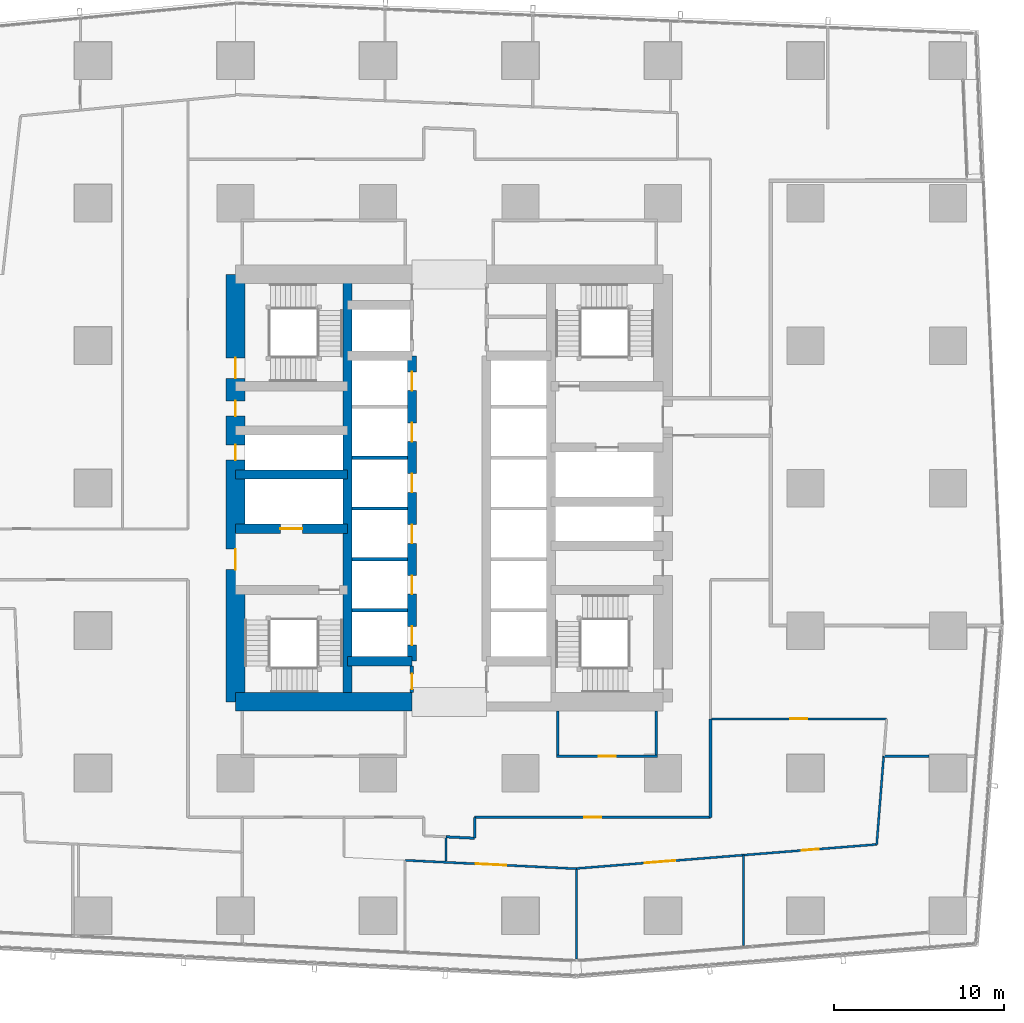
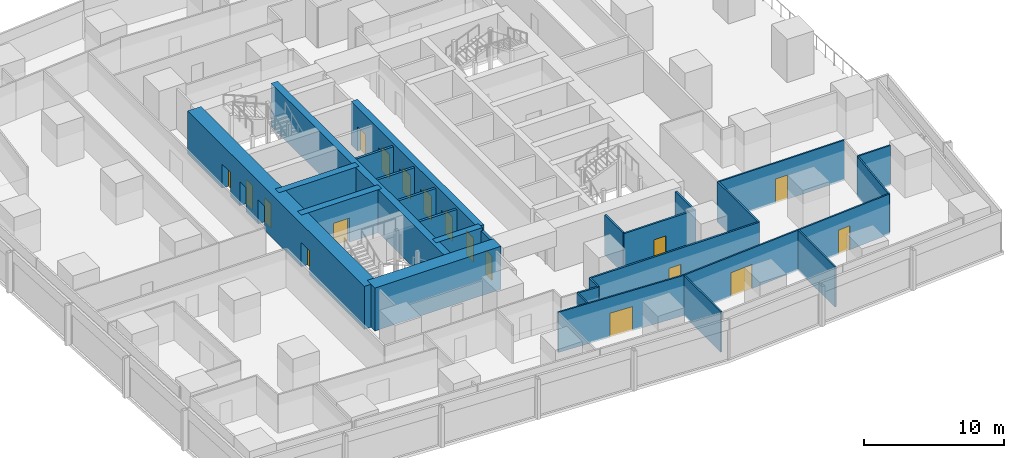
# One storey, part 30 of 42: 28 walls, 18 doors, 18 openings.
"""IFC4 building model written with IfcOpenShell, lengths in metres."""

from ifc_helpers import new_model, si_unit, direction, frame, frame_2d, origin, place, context, subcontext, project, spatial, rectangle, extrude, material, layer, layer_set, type_object, element, fill, save


model = new_model("IFC4")

# Units and contexts
model_context = context("Model", 3, precision=1e-05, world=origin(), true_north=direction((0.0, 1.0)))
body_context = subcontext(model_context, "Body", "Model", "MODEL_VIEW")
ifc_project = project(units=[si_unit("LENGTHUNIT", "METRE"), si_unit("AREAUNIT", "SQUARE_METRE"), si_unit("VOLUMEUNIT", "CUBIC_METRE"), si_unit("PLANEANGLEUNIT", "RADIAN"), si_unit("MASSUNIT", "GRAM", prefix="KILO")], contexts=[model_context])

# Site, building, storey
site_placement = place(None, origin())
site = spatial("IfcSite", under=ifc_project, at=site_placement, CompositionType="ELEMENT")
building_placement = place(site_placement, origin())
building = spatial("IfcBuilding", under=site, at=building_placement, Name="Rekha Terrace Tower", CompositionType="ELEMENT")
storey_placement = place(building_placement, frame((0.0, 0.0, 70.39990234375)))
storey = spatial("IfcBuildingStorey", under=building, at=storey_placement, Name="L17", CompositionType="ELEMENT", Elevation=70.39990234375)

# Wall
ifc_material_1 = material(Name="Concrete M70", Category="concrete")
ifc_layer_1 = layer(ifc_material_1, 0.550048828125)
ifc_layer_set_1 = layer_set([ifc_layer_1], Name="Concrete M70")
wall_type_1 = type_object("IfcWallType", Name="CI1 550 core internal shear wall", PredefinedType="SHEAR", material=ifc_layer_set_1)
wall_1_placement = place(storey_placement, frame((31.800048828125, 21.0, 0.0), z_axis=(0.0, 0.0, 1.0), x_axis=(0.0, 1.0, 0.0)))
element("IfcWall", 1, at=wall_1_placement, inside=storey, type_object=wall_type_1, Name="Core wall X318 L17", PredefinedType="SHEAR", context=body_context, shape_type="SweptSolid", body=[
    extrude(rectangle(XDim=25.199951171875, YDim=0.550048828125, at=frame_2d((12.60009765625, 0.0))), origin(), (0.0, 0.0, 1.0), 3.75),
])

# Wall, openings, doors
wall_2_placement = place(storey_placement, frame((35.60009765625, 23.39990234375, 0.0), z_axis=(0.0, 0.0, 1.0), x_axis=(0.0, 1.0, 0.0)))
wall_2 = element("IfcWall", 2, at=wall_2_placement, inside=storey, type_object=wall_type_1, Name="Core wall X356 L17", PredefinedType="SHEAR", context=body_context, shape_type="SweptSolid", body=[
    extrude(rectangle(XDim=18.0, YDim=0.550048828125, at=frame_2d((9.0, 0.0))), origin(), (0.0, 0.0, 1.0), 3.75),
])
opening_1_placement = place(wall_2_placement, frame((0.949951171875, 0.0, 0.0)))
opening_1 = element("IfcOpeningElement", 3, at=opening_1_placement, cuts=wall_2, Name="Opening LD1", PredefinedType="OPENING", context=body_context, shape_type="SweptSolid", body=[
    extrude(rectangle(XDim=1.10009765625, YDim=2.10009765625, at=frame_2d((0.550048828125, 1.050048828125))), frame((0.0, 0.284912109375, 0.0), z_axis=(0.0, -1.0, 0.0), x_axis=(1.0, 0.0, 0.0)), (0.0, 0.0, 1.0), 0.570068359375),
])
opening_2_placement = place(wall_2_placement, frame((3.949951171875, 0.0, 0.0)))
opening_2 = element("IfcOpeningElement", 4, at=opening_2_placement, cuts=wall_2, Name="Opening LD1", PredefinedType="OPENING", context=body_context, shape_type="SweptSolid", body=[
    extrude(rectangle(XDim=1.10009765625, YDim=2.10009765625, at=frame_2d((0.550048828125, 1.050048828125))), frame((0.0, 0.284912109375, 0.0), z_axis=(0.0, -1.0, 0.0), x_axis=(1.0, 0.0, 0.0)), (0.0, 0.0, 1.0), 0.570068359375),
])
opening_3_placement = place(wall_2_placement, frame((6.949951171875, 0.0, 0.0)))
opening_3 = element("IfcOpeningElement", 5, at=opening_3_placement, cuts=wall_2, Name="Opening LD1", PredefinedType="OPENING", context=body_context, shape_type="SweptSolid", body=[
    extrude(rectangle(XDim=1.10009765625, YDim=2.10009765625, at=frame_2d((0.550048828125, 1.050048828125))), frame((0.0, 0.284912109375, 0.0), z_axis=(0.0, -1.0, 0.0), x_axis=(1.0, 0.0, 0.0)), (0.0, 0.0, 1.0), 0.570068359375),
])
opening_4_placement = place(wall_2_placement, frame((9.949951171875, 0.0, 0.0)))
opening_4 = element("IfcOpeningElement", 6, at=opening_4_placement, cuts=wall_2, Name="Opening LD1", PredefinedType="OPENING", context=body_context, shape_type="SweptSolid", body=[
    extrude(rectangle(XDim=1.10009765625, YDim=2.10009765625, at=frame_2d((0.550048828125, 1.050048828125))), frame((0.0, 0.284912109375, 0.0), z_axis=(0.0, -1.0, 0.0), x_axis=(1.0, 0.0, 0.0)), (0.0, 0.0, 1.0), 0.570068359375),
])
opening_5_placement = place(wall_2_placement, frame((12.949951171875, 0.0, 0.0)))
opening_5 = element("IfcOpeningElement", 7, at=opening_5_placement, cuts=wall_2, Name="Opening LD1", PredefinedType="OPENING", context=body_context, shape_type="SweptSolid", body=[
    extrude(rectangle(XDim=1.10009765625, YDim=2.10009765625, at=frame_2d((0.550048828125, 1.050048828125))), frame((0.0, 0.284912109375, 0.0), z_axis=(0.0, -1.0, 0.0), x_axis=(1.0, 0.0, 0.0)), (0.0, 0.0, 1.0), 0.570068359375),
])
opening_6_placement = place(wall_2_placement, frame((15.949951171875, 0.0, 0.0)))
opening_6 = element("IfcOpeningElement", 8, at=opening_6_placement, cuts=wall_2, Name="Opening LD1", PredefinedType="OPENING", context=body_context, shape_type="SweptSolid", body=[
    extrude(rectangle(XDim=1.10009765625, YDim=2.10009765625, at=frame_2d((0.550048828125, 1.050048828125))), frame((0.0, 0.284912109375, 0.0), z_axis=(0.0, -1.0, 0.0), x_axis=(1.0, 0.0, 0.0)), (0.0, 0.0, 1.0), 0.570068359375),
])
ifc_material_2 = material(Name="Stainless steel sliding landing door", Category="steel")
door_type_1 = type_object("IfcDoorType", Name="LD1 1100x2100 lift landing door", OperationType="SLIDING_TO_LEFT", PredefinedType="USERDEFINED", material=ifc_material_2)
door_1_placement = place(opening_1_placement, origin())
door_1 = element("IfcDoor", 9, at=door_1_placement, inside=storey, type_object=door_type_1, Name="Lift A1 landing door L17", ObjectType="LIFT LANDING DOOR", OperationType="SLIDING_TO_LEFT", OverallHeight=2.10009765625, OverallWidth=1.10009765625, PredefinedType="USERDEFINED", context=body_context, shape_type="SweptSolid", body=[
    extrude(rectangle(XDim=1.10009765625, YDim=2.10009765625, at=frame_2d((0.550048828125, 1.050048828125))), frame((0.0, 0.02490234375, 0.0), z_axis=(0.0, -1.0, 0.0), x_axis=(1.0, 0.0, 0.0)), (0.0, 0.0, 1.0), 0.050048828125),
])
fill(opening_1, door_1)
door_2_placement = place(opening_2_placement, origin())
door_2 = element("IfcDoor", 10, at=door_2_placement, inside=storey, type_object=door_type_1, Name="Lift A2 landing door L17", ObjectType="LIFT LANDING DOOR", OperationType="SLIDING_TO_LEFT", OverallHeight=2.10009765625, OverallWidth=1.10009765625, PredefinedType="USERDEFINED", context=body_context, shape_type="SweptSolid", body=[
    extrude(rectangle(XDim=1.10009765625, YDim=2.10009765625, at=frame_2d((0.550048828125, 1.050048828125))), frame((0.0, 0.02490234375, 0.0), z_axis=(0.0, -1.0, 0.0), x_axis=(1.0, 0.0, 0.0)), (0.0, 0.0, 1.0), 0.050048828125),
])
fill(opening_2, door_2)
door_3_placement = place(opening_3_placement, origin())
door_3 = element("IfcDoor", 11, at=door_3_placement, inside=storey, type_object=door_type_1, Name="Lift A3 landing door L17", ObjectType="LIFT LANDING DOOR", OperationType="SLIDING_TO_LEFT", OverallHeight=2.10009765625, OverallWidth=1.10009765625, PredefinedType="USERDEFINED", context=body_context, shape_type="SweptSolid", body=[
    extrude(rectangle(XDim=1.10009765625, YDim=2.10009765625, at=frame_2d((0.550048828125, 1.050048828125))), frame((0.0, 0.02490234375, 0.0), z_axis=(0.0, -1.0, 0.0), x_axis=(1.0, 0.0, 0.0)), (0.0, 0.0, 1.0), 0.050048828125),
])
fill(opening_3, door_3)
door_4_placement = place(opening_4_placement, origin())
door_4 = element("IfcDoor", 12, at=door_4_placement, inside=storey, type_object=door_type_1, Name="Lift A4 landing door L17", ObjectType="LIFT LANDING DOOR", OperationType="SLIDING_TO_LEFT", OverallHeight=2.10009765625, OverallWidth=1.10009765625, PredefinedType="USERDEFINED", context=body_context, shape_type="SweptSolid", body=[
    extrude(rectangle(XDim=1.10009765625, YDim=2.10009765625, at=frame_2d((0.550048828125, 1.050048828125))), frame((0.0, 0.02490234375, 0.0), z_axis=(0.0, -1.0, 0.0), x_axis=(1.0, 0.0, 0.0)), (0.0, 0.0, 1.0), 0.050048828125),
])
fill(opening_4, door_4)
door_5_placement = place(opening_5_placement, origin())
door_5 = element("IfcDoor", 13, at=door_5_placement, inside=storey, type_object=door_type_1, Name="Lift A5 landing door L17", ObjectType="LIFT LANDING DOOR", OperationType="SLIDING_TO_LEFT", OverallHeight=2.10009765625, OverallWidth=1.10009765625, PredefinedType="USERDEFINED", context=body_context, shape_type="SweptSolid", body=[
    extrude(rectangle(XDim=1.10009765625, YDim=2.10009765625, at=frame_2d((0.550048828125, 1.050048828125))), frame((0.0, 0.02490234375, 0.0), z_axis=(0.0, -1.0, 0.0), x_axis=(1.0, 0.0, 0.0)), (0.0, 0.0, 1.0), 0.050048828125),
])
fill(opening_5, door_5)
door_6_placement = place(opening_6_placement, origin())
door_6 = element("IfcDoor", 14, at=door_6_placement, inside=storey, type_object=door_type_1, Name="Lift A6 landing door L17", ObjectType="LIFT LANDING DOOR", OperationType="SLIDING_TO_LEFT", OverallHeight=2.10009765625, OverallWidth=1.10009765625, PredefinedType="USERDEFINED", context=body_context, shape_type="SweptSolid", body=[
    extrude(rectangle(XDim=1.10009765625, YDim=2.10009765625, at=frame_2d((0.550048828125, 1.050048828125))), frame((0.0, 0.02490234375, 0.0), z_axis=(0.0, -1.0, 0.0), x_axis=(1.0, 0.0, 0.0)), (0.0, 0.0, 1.0), 0.050048828125),
])
fill(opening_6, door_6)

# Wall
wall_3_placement = place(storey_placement, frame((31.800048828125, 23.39990234375, 0.0), z_axis=(0.0, 0.0, 1.0), x_axis=(1.0, 0.0, 0.0)))
element("IfcWall", 15, at=wall_3_placement, inside=storey, type_object=wall_type_1, Name="Core wall Y234W L17", PredefinedType="SHEAR", context=body_context, shape_type="SweptSolid", body=[
    extrude(rectangle(XDim=3.800048828125, YDim=0.550048828125, at=frame_2d((1.89990234375, 0.0))), origin(), (0.0, 0.0, 1.0), 3.75),
])

# Wall, opening, door
wall_4_placement = place(storey_placement, frame((25.199951171875, 31.199951171875, 0.0), z_axis=(0.0, 0.0, 1.0), x_axis=(1.0, 0.0, 0.0)))
wall_4 = element("IfcWall", 16, at=wall_4_placement, inside=storey, type_object=wall_type_1, Name="Core wall Y312W L17", PredefinedType="SHEAR", context=body_context, shape_type="SweptSolid", body=[
    extrude(rectangle(XDim=6.60009765625, YDim=0.550048828125, at=frame_2d((3.300048828125, 0.0))), origin(), (0.0, 0.0, 1.0), 3.75),
])
opening_7_placement = place(wall_4_placement, frame((2.64990234375, 0.0, 0.0)))
opening_7 = element("IfcOpeningElement", 17, at=opening_7_placement, cuts=wall_4, Name="Opening LD2", PredefinedType="OPENING", context=body_context, shape_type="SweptSolid", body=[
    extrude(rectangle(XDim=1.300048828125, YDim=2.10009765625, at=frame_2d((0.64990234375, 1.050048828125))), frame((0.0, 0.284912109375, 0.0), z_axis=(0.0, -1.0, 0.0), x_axis=(1.0, 0.0, 0.0)), (0.0, 0.0, 1.0), 0.570068359375),
])
door_type_2 = type_object("IfcDoorType", Name="LD2 1300x2100 fire lift landing door", OperationType="SLIDING_TO_LEFT", PredefinedType="USERDEFINED", material=ifc_material_2)
door_7_placement = place(opening_7_placement, origin())
door_7 = element("IfcDoor", 18, at=door_7_placement, inside=storey, type_object=door_type_2, Name="Lift FL1 landing door L17", ObjectType="LIFT LANDING DOOR", OperationType="SLIDING_TO_LEFT", OverallHeight=2.10009765625, OverallWidth=1.300048828125, PredefinedType="USERDEFINED", context=body_context, shape_type="SweptSolid", body=[
    extrude(rectangle(XDim=1.300048828125, YDim=2.10009765625, at=frame_2d((0.64990234375, 1.050048828125))), frame((0.0, 0.02490234375, 0.0), z_axis=(0.0, -1.0, 0.0), x_axis=(1.0, 0.0, 0.0)), (0.0, 0.0, 1.0), 0.050048828125),
])
fill(opening_7, door_7)

# Walls
wall_5_placement = place(storey_placement, frame((25.199951171875, 34.39990234375, 0.0), z_axis=(0.0, 0.0, 1.0), x_axis=(1.0, 0.0, 0.0)))
element("IfcWall", 19, at=wall_5_placement, inside=storey, type_object=wall_type_1, Name="Core wall Y344W L17", PredefinedType="SHEAR", context=body_context, shape_type="SweptSolid", body=[
    extrude(rectangle(XDim=6.60009765625, YDim=0.550048828125, at=frame_2d((3.300048828125, 0.0))), origin(), (0.0, 0.0, 1.0), 3.75),
])
ifc_layer_2 = layer(ifc_material_1, 1.10009765625)
ifc_layer_set_2 = layer_set([ifc_layer_2], Name="Concrete M70")
wall_type_2 = type_object("IfcWallType", Name="SW1 1100 core outer shear wall", PredefinedType="SHEAR", material=ifc_layer_set_2)
wall_6_placement = place(storey_placement, frame((25.199951171875, 21.0, 0.0), z_axis=(0.0, 0.0, 1.0), x_axis=(1.0, 0.0, 0.0)))
element("IfcWall", 20, at=wall_6_placement, inside=storey, type_object=wall_type_2, Name="Core wall S1 L17", PredefinedType="SHEAR", context=body_context, shape_type="SweptSolid", body=[
    extrude(rectangle(XDim=10.400146484375, YDim=1.10009765625, at=frame_2d((5.2001953125, 0.0))), origin(), (0.0, 0.0, 1.0), 3.75),
])

# Wall, openings, doors
wall_7_placement = place(storey_placement, frame((25.199951171875, 21.0, 0.0), z_axis=(0.0, 0.0, 1.0), x_axis=(0.0, 1.0, 0.0)))
wall_7 = element("IfcWall", 21, at=wall_7_placement, inside=storey, type_object=wall_type_2, Name="Core wall W L17", PredefinedType="SHEAR", context=body_context, shape_type="SweptSolid", body=[
    extrude(rectangle(XDim=25.199951171875, YDim=1.10009765625, at=frame_2d((12.60009765625, 0.0))), origin(), (0.0, 0.0, 1.0), 3.75),
])
opening_8_placement = place(wall_7_placement, frame((7.800048828125, 0.0, 0.0)))
opening_8 = element("IfcOpeningElement", 22, at=opening_8_placement, cuts=wall_7, Name="Opening D2", PredefinedType="OPENING", context=body_context, shape_type="SweptSolid", body=[
    extrude(rectangle(XDim=1.199951171875, YDim=2.10009765625, at=frame_2d((0.60009765625, 1.050048828125))), frame((0.0, 0.56005859375, 0.0), z_axis=(0.0, -1.0, 0.0), x_axis=(1.0, 0.0, 0.0)), (0.0, 0.0, 1.0), 1.1201171875),
])
opening_9_placement = place(wall_7_placement, frame((14.25, 0.0, 0.0)))
opening_9 = element("IfcOpeningElement", 23, at=opening_9_placement, cuts=wall_7, Name="Opening D5", PredefinedType="OPENING", context=body_context, shape_type="SweptSolid", body=[
    extrude(rectangle(XDim=0.89990234375, YDim=2.10009765625, at=frame_2d((0.449951171875, 1.050048828125))), frame((0.0, 0.56005859375, 0.0), z_axis=(0.0, -1.0, 0.0), x_axis=(1.0, 0.0, 0.0)), (0.0, 0.0, 1.0), 1.1201171875),
])
opening_10_placement = place(wall_7_placement, frame((16.85009765625, 0.0, 0.0)))
opening_10 = element("IfcOpeningElement", 24, at=opening_10_placement, cuts=wall_7, Name="Opening D5", PredefinedType="OPENING", context=body_context, shape_type="SweptSolid", body=[
    extrude(rectangle(XDim=0.89990234375, YDim=2.10009765625, at=frame_2d((0.449951171875, 1.050048828125))), frame((0.0, 0.56005859375, 0.0), z_axis=(0.0, -1.0, 0.0), x_axis=(1.0, 0.0, 0.0)), (0.0, 0.0, 1.0), 1.1201171875),
])
opening_11_placement = place(wall_7_placement, frame((19.074951171875, 0.0, 0.0)))
opening_11 = element("IfcOpeningElement", 25, at=opening_11_placement, cuts=wall_7, Name="Opening D1", PredefinedType="OPENING", context=body_context, shape_type="SweptSolid", body=[
    extrude(rectangle(XDim=1.199951171875, YDim=2.10009765625, at=frame_2d((0.60009765625, 1.050048828125))), frame((0.0, 0.56005859375, 0.0), z_axis=(0.0, -1.0, 0.0), x_axis=(1.0, 0.0, 0.0)), (0.0, 0.0, 1.0), 1.1201171875),
])
ifc_material_3 = material(Name="Steel fire door", Category="steel")
door_type_3 = type_object("IfcDoorType", Name="D1 1200x2100 stair fire door", OperationType="SINGLE_SWING_RIGHT", PredefinedType="DOOR", material=ifc_material_3)
door_8_placement = place(opening_11_placement, origin())
door_8 = element("IfcDoor", 26, at=door_8_placement, inside=storey, type_object=door_type_3, Name="Stair ST4 door L17", OperationType="SINGLE_SWING_RIGHT", OverallHeight=2.10009765625, OverallWidth=1.199951171875, PredefinedType="DOOR", context=body_context, shape_type="SweptSolid", body=[
    extrude(rectangle(XDim=1.199951171875, YDim=2.10009765625, at=frame_2d((0.60009765625, 1.050048828125))), frame((0.0, 0.02490234375, 0.0), z_axis=(0.0, -1.0, 0.0), x_axis=(1.0, 0.0, 0.0)), (0.0, 0.0, 1.0), 0.050048828125),
])
fill(opening_11, door_8)
door_type_4 = type_object("IfcDoorType", Name="D2 1200x2100 firefighting lobby door", OperationType="SINGLE_SWING_LEFT", PredefinedType="DOOR", material=ifc_material_3)
door_9_placement = place(opening_8_placement, origin())
door_9 = element("IfcDoor", 27, at=door_9_placement, inside=storey, type_object=door_type_4, Name="Door flb1 L17", OperationType="SINGLE_SWING_LEFT", OverallHeight=2.10009765625, OverallWidth=1.199951171875, PredefinedType="DOOR", context=body_context, shape_type="SweptSolid", body=[
    extrude(rectangle(XDim=1.199951171875, YDim=2.10009765625, at=frame_2d((0.60009765625, 1.050048828125))), frame((0.0, 0.02490234375, 0.0), z_axis=(0.0, -1.0, 0.0), x_axis=(1.0, 0.0, 0.0)), (0.0, 0.0, 1.0), 0.050048828125),
])
fill(opening_8, door_9)
door_type_5 = type_object("IfcDoorType", Name="D5 900x2100 riser access door", OperationType="SINGLE_SWING_LEFT", PredefinedType="DOOR", material=ifc_material_3)
door_10_placement = place(opening_9_placement, origin())
door_10 = element("IfcDoor", 28, at=door_10_placement, inside=storey, type_object=door_type_5, Name="Door rs1 L17", OperationType="SINGLE_SWING_LEFT", OverallHeight=2.10009765625, OverallWidth=0.89990234375, PredefinedType="DOOR", context=body_context, shape_type="SweptSolid", body=[
    extrude(rectangle(XDim=0.89990234375, YDim=2.10009765625, at=frame_2d((0.449951171875, 1.050048828125))), frame((0.0, 0.02490234375, 0.0), z_axis=(0.0, -1.0, 0.0), x_axis=(1.0, 0.0, 0.0)), (0.0, 0.0, 1.0), 0.050048828125),
])
fill(opening_9, door_10)
door_11_placement = place(opening_10_placement, origin())
door_11 = element("IfcDoor", 29, at=door_11_placement, inside=storey, type_object=door_type_5, Name="Door elw L17", OperationType="SINGLE_SWING_LEFT", OverallHeight=2.10009765625, OverallWidth=0.89990234375, PredefinedType="DOOR", context=body_context, shape_type="SweptSolid", body=[
    extrude(rectangle(XDim=0.89990234375, YDim=2.10009765625, at=frame_2d((0.449951171875, 1.050048828125))), frame((0.0, 0.02490234375, 0.0), z_axis=(0.0, -1.0, 0.0), x_axis=(1.0, 0.0, 0.0)), (0.0, 0.0, 1.0), 0.050048828125),
])
fill(opening_10, door_11)

# Wall, opening, door
ifc_material_4 = material(Name="Concrete block masonry, 1 hour", Category="masonry")
ifc_layer_3 = layer(ifc_material_4, 0.14990234375)
ifc_layer_set_3 = layer_set([ifc_layer_3], Name="Concrete block masonry, 1 hour")
wall_type_3 = type_object("IfcWallType", Name="WP2 150 tenancy partition", PredefinedType="PARTITIONING", material=ifc_layer_set_3)
wall_8_placement = place(storey_placement, frame((44.125, 17.800048828125, 0.0), z_axis=(0.0, 0.0, 1.0), x_axis=(1.0, 0.0, 0.0)))
wall_8 = element("IfcWall", 30, at=wall_8_placement, inside=storey, type_object=wall_type_3, Name="Men's WC wall L17", PredefinedType="PARTITIONING", context=body_context, shape_type="SweptSolid", body=[
    extrude(rectangle(XDim=5.949951171875, YDim=0.14990234375, at=frame_2d((2.97509765625, 0.0))), origin(), (0.0, 0.0, 1.0), 3.5),
])
opening_12_placement = place(wall_8_placement, frame((2.47509765625, 0.0, 0.0)))
opening_12 = element("IfcOpeningElement", 31, at=opening_12_placement, cuts=wall_8, Name="Opening D3", PredefinedType="OPENING", context=body_context, shape_type="SweptSolid", body=[
    extrude(rectangle(XDim=1.0, YDim=2.10009765625, at=frame_2d((0.5, 1.050048828125))), frame((0.0, 0.0849609375, 0.0), z_axis=(0.0, -1.0, 0.0), x_axis=(1.0, 0.0, 0.0)), (0.0, 0.0, 1.0), 0.169921875),
])
ifc_material_5 = material(Name="Laminated timber fire door", Category="wood")
door_type_6 = type_object("IfcDoorType", Name="D3 1000x2100 WC door", OperationType="SINGLE_SWING_LEFT", PredefinedType="DOOR", material=ifc_material_5)
door_12_placement = place(opening_12_placement, origin())
door_12 = element("IfcDoor", 32, at=door_12_placement, inside=storey, type_object=door_type_6, Name="Door men's wc L17", OperationType="SINGLE_SWING_LEFT", OverallHeight=2.10009765625, OverallWidth=1.0, PredefinedType="DOOR", context=body_context, shape_type="SweptSolid", body=[
    extrude(rectangle(XDim=1.0, YDim=2.10009765625, at=frame_2d((0.5, 1.050048828125))), frame((0.0, 0.02490234375, 0.0), z_axis=(0.0, -1.0, 0.0), x_axis=(1.0, 0.0, 0.0)), (0.0, 0.0, 1.0), 0.050048828125),
])
fill(opening_12, door_12)

# Walls
for number, where, z_axis, x_axis, name in (
    (33, (44.199951171875, 17.875, 0.0), (0.0, 0.0, 1.0), (0.0, 1.0, 0.0), "Men's WC wall L17"),
    (34, (50.0, 17.875, 0.0), (0.0, 0.0, 1.0), (0.0, 1.0, 0.0), "Men's WC wall L17"),
):
    element("IfcWall", number, at=place(storey_placement, frame(where, z_axis=z_axis, x_axis=x_axis)), inside=storey, type_object=wall_type_3, Name=name, PredefinedType="PARTITIONING", context=body_context, shape_type="SweptSolid", body=[
        extrude(rectangle(XDim=2.574951171875, YDim=0.14990234375, at=frame_2d((1.28759765625, 0.0))), origin(), (0.0, 0.0, 1.0), 3.5),
    ])
wall_9_placement = place(storey_placement, frame((37.60107421875, 13.047119140625, 0.0), z_axis=(0.0, 0.0, 1.0), x_axis=(0.998808600268, -0.048799385557, 0.0)))
element("IfcWall", 35, at=wall_9_placement, inside=storey, type_object=wall_type_3, Name="Partition L17-O1", PredefinedType="PARTITIONING", context=body_context, shape_type="SweptSolid", body=[
    extrude(rectangle(XDim=1.700927734375, YDim=0.14990234375, at=frame_2d((0.8505859375, 0.0))), origin(), (0.0, 0.0, 1.0), 3.5),
])
wall_10_placement = place(storey_placement, frame((39.300048828125, 12.964111328125, 0.0), z_axis=(0.0, 0.0, 1.0), x_axis=(0.0, 1.0, 0.0)))
element("IfcWall", 36, at=wall_10_placement, inside=storey, type_object=wall_type_3, Name="Partition L17-O1", PredefinedType="PARTITIONING", context=body_context, shape_type="SweptSolid", body=[
    extrude(rectangle(XDim=1.23583984375, YDim=0.14990234375, at=frame_2d((0.617919921875, 0.0))), origin(), (0.0, 0.0, 1.0), 3.5),
])

# Wall, opening, door
wall_11_placement = place(storey_placement, frame((39.300048828125, 14.199951171875, 0.0), z_axis=(0.0, 0.0, 1.0), x_axis=(1.0, 0.0, 0.0)))
wall_11 = element("IfcWall", 37, at=wall_11_placement, inside=storey, type_object=wall_type_3, Name="Partition L17-O1", PredefinedType="PARTITIONING", context=body_context, shape_type="SweptSolid", body=[
    extrude(rectangle(XDim=13.89990234375, YDim=0.14990234375, at=frame_2d((6.949951171875, 0.0))), origin(), (0.0, 0.0, 1.0), 3.5),
])
opening_13_placement = place(wall_11_placement, frame((6.449951171875, 0.0, 0.0)))
opening_13 = element("IfcOpeningElement", 38, at=opening_13_placement, cuts=wall_11, Name="Opening D9", PredefinedType="OPENING", context=body_context, shape_type="SweptSolid", body=[
    extrude(rectangle(XDim=1.0, YDim=2.10009765625, at=frame_2d((0.5, 1.050048828125))), frame((0.0, 0.0849609375, 0.0), z_axis=(0.0, -1.0, 0.0), x_axis=(1.0, 0.0, 0.0)), (0.0, 0.0, 1.0), 0.169921875),
])
ifc_material_6 = material(Name="Timber fire door", Category="wood")
door_type_7 = type_object("IfcDoorType", Name="D9 1000x2100 office door", OperationType="SINGLE_SWING_LEFT", PredefinedType="DOOR", material=ifc_material_6)
door_13_placement = place(opening_13_placement, origin())
door_13 = element("IfcDoor", 39, at=door_13_placement, inside=storey, type_object=door_type_7, Name="Door open-plan office L17", OperationType="SINGLE_SWING_LEFT", OverallHeight=2.10009765625, OverallWidth=1.0, PredefinedType="DOOR", context=body_context, shape_type="SweptSolid", body=[
    extrude(rectangle(XDim=1.0, YDim=2.10009765625, at=frame_2d((0.5, 1.050048828125))), frame((0.0, 0.02490234375, 0.0), z_axis=(0.0, -1.0, 0.0), x_axis=(1.0, 0.0, 0.0)), (0.0, 0.0, 1.0), 0.050048828125),
])
fill(opening_13, door_13)

# Wall
wall_12_placement = place(storey_placement, frame((53.199951171875, 14.199951171875, 0.0), z_axis=(0.0, 0.0, 1.0), x_axis=(0.0, 1.0, 0.0)))
element("IfcWall", 40, at=wall_12_placement, inside=storey, type_object=wall_type_3, Name="Partition L17-O1", PredefinedType="PARTITIONING", context=body_context, shape_type="SweptSolid", body=[
    extrude(rectangle(XDim=5.802001953125, YDim=0.14990234375, at=frame_2d((2.90087890625, 0.0))), origin(), (0.0, 0.0, 1.0), 3.5),
])

# Wall, opening, door
ifc_material_7 = material(Name="Two layers of fire-rated gypsum board each side on steel studs, acoustic quilt, 1 hour", Category="steel")
ifc_layer_4 = layer(ifc_material_7, 0.125)
ifc_layer_set_4 = layer_set([ifc_layer_4], Name="Two layers of fire-rated gypsum board each side on steel studs, acoustic quilt, 1 hour")
wall_type_4 = type_object("IfcWallType", Name="WP3 125 office partition", PredefinedType="PARTITIONING", material=ifc_layer_set_4)
wall_13_placement = place(storey_placement, frame((35.200927734375, 11.6630859375, 0.0), z_axis=(0.0, 0.0, 1.0), x_axis=(0.998797064432, -0.049034927155, 0.0)))
wall_13 = element("IfcWall", 41, at=wall_13_placement, inside=storey, type_object=wall_type_4, Name="Partition L17-02", PredefinedType="PARTITIONING", context=body_context, shape_type="SweptSolid", body=[
    extrude(rectangle(XDim=10.1171875, YDim=0.125, at=frame_2d((5.05859375, 0.0))), origin(), (0.0, 0.0, 1.0), 3.5),
])
opening_14_placement = place(wall_13_placement, frame((4.157958984375, 0.0, 0.0)))
opening_14 = element("IfcOpeningElement", 42, at=opening_14_placement, cuts=wall_13, Name="Opening D8", PredefinedType="OPENING", context=body_context, shape_type="SweptSolid", body=[
    extrude(rectangle(XDim=1.800048828125, YDim=2.10009765625, at=frame_2d((0.89990234375, 1.050048828125))), frame((0.0, 0.072509765625, 0.0), z_axis=(0.0, -1.0, 0.0), x_axis=(1.0, 0.0, 0.0)), (0.0, 0.0, 1.0), 0.14501953125),
])
door_type_8 = type_object("IfcDoorType", Name="D8 1800x2100 double leaf door", OperationType="DOUBLE_DOOR_SINGLE_SWING", PredefinedType="DOOR", material=ifc_material_6)
door_14_placement = place(opening_14_placement, origin())
door_14 = element("IfcDoor", 43, at=door_14_placement, inside=storey, type_object=door_type_8, Name="Door meeting room L17", OperationType="DOUBLE_DOOR_SINGLE_SWING", OverallHeight=2.10009765625, OverallWidth=1.800048828125, PredefinedType="DOOR", context=body_context, shape_type="SweptSolid", body=[
    extrude(rectangle(XDim=1.800048828125, YDim=2.10009765625, at=frame_2d((0.89990234375, 1.050048828125))), frame((0.0, 0.02490234375, 0.0), z_axis=(0.0, -1.0, 0.0), x_axis=(1.0, 0.0, 0.0)), (0.0, 0.0, 1.0), 0.050048828125),
])
fill(opening_14, door_14)

# Wall
wall_14_placement = place(storey_placement, frame((45.303955078125, 11.10693359375, 0.0), z_axis=(0.0, 0.0, 1.0), x_axis=(0.0, -1.0, 0.0)))
element("IfcWall", 44, at=wall_14_placement, inside=storey, type_object=wall_type_4, Name="Partition L17-02", PredefinedType="PARTITIONING", context=body_context, shape_type="SweptSolid", body=[
    extrude(rectangle(XDim=5.261962890625, YDim=0.125, at=frame_2d((2.630859375, 0.0))), origin(), (0.0, 0.0, 1.0), 3.5),
])

# Wall, opening, door
wall_15_placement = place(storey_placement, frame((45.306884765625, 11.181884765625, 0.0), z_axis=(0.0, 0.0, 1.0), x_axis=(0.996803635633, 0.079890625164, 0.0)))
wall_15 = element("IfcWall", 45, at=wall_15_placement, inside=storey, type_object=wall_type_4, Name="Partition L17-03", PredefinedType="PARTITIONING", context=body_context, shape_type="SweptSolid", body=[
    extrude(rectangle(XDim=9.876708984375, YDim=0.125, at=frame_2d((4.9384765625, 0.0))), origin(), (0.0, 0.0, 1.0), 3.5),
])
opening_15_placement = place(wall_15_placement, frame((4.037109375, 0.0, 0.0)))
opening_15 = element("IfcOpeningElement", 46, at=opening_15_placement, cuts=wall_15, Name="Opening D8", PredefinedType="OPENING", context=body_context, shape_type="SweptSolid", body=[
    extrude(rectangle(XDim=1.800048828125, YDim=2.10009765625, at=frame_2d((0.89990234375, 1.050048828125))), frame((0.0, 0.072509765625, 0.0), z_axis=(0.0, -1.0, 0.0), x_axis=(1.0, 0.0, 0.0)), (0.0, 0.0, 1.0), 0.14501953125),
])
door_15_placement = place(opening_15_placement, origin())
door_15 = element("IfcDoor", 47, at=door_15_placement, inside=storey, type_object=door_type_8, Name="Door breakout lounge L17", OperationType="DOUBLE_DOOR_SINGLE_SWING", OverallHeight=2.10009765625, OverallWidth=1.800048828125, PredefinedType="DOOR", context=body_context, shape_type="SweptSolid", body=[
    extrude(rectangle(XDim=1.800048828125, YDim=2.10009765625, at=frame_2d((0.89990234375, 1.050048828125))), frame((0.0, 0.02490234375, 0.0), z_axis=(0.0, -1.0, 0.0), x_axis=(1.0, 0.0, 0.0)), (0.0, 0.0, 1.0), 0.050048828125),
])
fill(opening_15, door_15)

# Walls
wall_16_placement = place(storey_placement, frame((55.152099609375, 11.970947265625, 0.0), z_axis=(0.0, 0.0, 1.0), x_axis=(0.0, -1.0, 0.0)))
element("IfcWall", 48, at=wall_16_placement, inside=storey, type_object=wall_type_4, Name="Partition L17-03", PredefinedType="PARTITIONING", context=body_context, shape_type="SweptSolid", body=[
    extrude(rectangle(XDim=5.3369140625, YDim=0.125, at=frame_2d((2.66845703125, 0.0))), origin(), (0.0, 0.0, 1.0), 3.5),
])
wall_17_placement = place(storey_placement, frame((63.407958984375, 17.797119140625, 0.0), z_axis=(0.0, 0.0, 1.0), x_axis=(1.0, 0.0, 0.0)))
element("IfcWall", 49, at=wall_17_placement, inside=storey, type_object=wall_type_4, Name="Partition L17-04", PredefinedType="PARTITIONING", context=body_context, shape_type="SweptSolid", body=[
    extrude(rectangle(XDim=2.672119140625, YDim=0.125, at=frame_2d((1.3359375, 0.0))), origin(), (0.0, 0.0, 1.0), 3.5),
])

# Wall, opening, door
wall_18_placement = place(storey_placement, frame((55.153076171875, 11.970947265625, 0.0), z_axis=(0.0, 0.0, 1.0), x_axis=(0.996807874633, 0.079837717087, 0.0)))
wall_18 = element("IfcWall", 50, at=wall_18_placement, inside=storey, type_object=wall_type_4, Name="Partition L17-04", PredefinedType="PARTITIONING", context=body_context, shape_type="SweptSolid", body=[
    extrude(rectangle(XDim=7.8681640625, YDim=0.125, at=frame_2d((3.93408203125, 0.0))), origin(), (0.0, 0.0, 1.0), 3.5),
])
opening_16_placement = place(wall_18_placement, frame((3.43408203125, 0.0, 0.0)))
opening_16 = element("IfcOpeningElement", 51, at=opening_16_placement, cuts=wall_18, Name="Opening D9", PredefinedType="OPENING", context=body_context, shape_type="SweptSolid", body=[
    extrude(rectangle(XDim=1.0, YDim=2.10009765625, at=frame_2d((0.5, 1.050048828125))), frame((0.0, 0.072509765625, 0.0), z_axis=(0.0, -1.0, 0.0), x_axis=(1.0, 0.0, 0.0)), (0.0, 0.0, 1.0), 0.14501953125),
])
door_16_placement = place(opening_16_placement, origin())
door_16 = element("IfcDoor", 52, at=door_16_placement, inside=storey, type_object=door_type_7, Name="Door director's office L17", OperationType="SINGLE_SWING_LEFT", OverallHeight=2.10009765625, OverallWidth=1.0, PredefinedType="DOOR", context=body_context, shape_type="SweptSolid", body=[
    extrude(rectangle(XDim=1.0, YDim=2.10009765625, at=frame_2d((0.5, 1.050048828125))), frame((0.0, 0.02490234375, 0.0), z_axis=(0.0, -1.0, 0.0), x_axis=(1.0, 0.0, 0.0)), (0.0, 0.0, 1.0), 0.050048828125),
])
fill(opening_16, door_16)

# Wall
wall_19_placement = place(storey_placement, frame((62.99609375, 12.59912109375, 0.0), z_axis=(0.0, 0.0, 1.0), x_axis=(0.078987793385, 0.996875583258, 0.0)))
element("IfcWall", 53, at=wall_19_placement, inside=storey, type_object=wall_type_4, Name="Partition L17-04", PredefinedType="PARTITIONING", context=body_context, shape_type="SweptSolid", body=[
    extrude(rectangle(XDim=5.21435546875, YDim=0.125, at=frame_2d((2.607177734375, 0.0))), origin(), (0.0, 0.0, 1.0), 3.5),
])

# Wall, opening, door
wall_20_placement = place(storey_placement, frame((63.5830078125, 20.001953125, 0.0), z_axis=(0.0, 0.0, 1.0), x_axis=(-1.0, 0.0, 0.0)))
wall_20 = element("IfcWall", 54, at=wall_20_placement, inside=storey, type_object=wall_type_4, Name="Partition L17-05", PredefinedType="PARTITIONING", context=body_context, shape_type="SweptSolid", body=[
    extrude(rectangle(XDim=10.383056640625, YDim=0.125, at=frame_2d((5.19140625, 0.0))), origin(), (0.0, 0.0, 1.0), 3.5),
])
opening_17_placement = place(wall_20_placement, frame((4.69091796875, 0.0, 0.0)))
opening_17 = element("IfcOpeningElement", 55, at=opening_17_placement, cuts=wall_20, Name="Opening D9", PredefinedType="OPENING", context=body_context, shape_type="SweptSolid", body=[
    extrude(rectangle(XDim=1.0, YDim=2.10009765625, at=frame_2d((0.5, 1.050048828125))), frame((0.0, 0.072509765625, 0.0), z_axis=(0.0, -1.0, 0.0), x_axis=(1.0, 0.0, 0.0)), (0.0, 0.0, 1.0), 0.14501953125),
])
door_17_placement = place(opening_17_placement, origin())
door_17 = element("IfcDoor", 56, at=door_17_placement, inside=storey, type_object=door_type_7, Name="Door director's office L17", OperationType="SINGLE_SWING_LEFT", OverallHeight=2.10009765625, OverallWidth=1.0, PredefinedType="DOOR", context=body_context, shape_type="SweptSolid", body=[
    extrude(rectangle(XDim=1.0, YDim=2.10009765625, at=frame_2d((0.5, 1.050048828125))), frame((0.0, 0.02490234375, 0.0), z_axis=(0.0, -1.0, 0.0), x_axis=(1.0, 0.0, 0.0)), (0.0, 0.0, 1.0), 0.050048828125),
])
fill(opening_17, door_17)

# Walls
wall_21_placement = place(storey_placement, frame((37.60107421875, 13.047119140625, 0.0), z_axis=(0.0, 0.0, 1.0), x_axis=(0.0, -1.0, 0.0)))
element("IfcWall", 57, at=wall_21_placement, inside=storey, type_object=wall_type_4, Name="Partition L17-08", PredefinedType="PARTITIONING", context=body_context, shape_type="SweptSolid", body=[
    extrude(rectangle(XDim=1.439208984375, YDim=0.125, at=frame_2d((0.7197265625, 0.0))), origin(), (0.0, 0.0, 1.0), 3.5),
])
ifc_material_8 = material(Name="Solid concrete block masonry, 2 hour", Category="masonry")
ifc_layer_5 = layer(ifc_material_8, 0.199951171875)
ifc_layer_set_5 = layer_set([ifc_layer_5], Name="Solid concrete block masonry, 2 hour")
wall_type_5 = type_object("IfcWallType", Name="WS1 200 stair and shaft enclosure", PredefinedType="PARTITIONING", material=ifc_layer_set_5)
for number, where, z_axis, x_axis, name in (
    (58, (32.074951171875, 26.39990234375, 0.0), (0.0, 0.0, 1.0), (1.0, 0.0, 0.0), "Lift shaft divider L17"),
    (59, (32.074951171875, 29.39990234375, 0.0), (0.0, 0.0, 1.0), (1.0, 0.0, 0.0), "Lift shaft divider L17"),
    (60, (32.074951171875, 32.39990234375, 0.0), (0.0, 0.0, 1.0), (1.0, 0.0, 0.0), "Lift shaft divider L17"),
    (61, (32.074951171875, 35.39990234375, 0.0), (0.0, 0.0, 1.0), (1.0, 0.0, 0.0), "Lift shaft divider L17"),
):
    element("IfcWall", number, at=place(storey_placement, frame(where, z_axis=z_axis, x_axis=x_axis)), inside=storey, type_object=wall_type_5, Name=name, PredefinedType="PARTITIONING", context=body_context, shape_type="SweptSolid", body=[
        extrude(rectangle(XDim=3.25, YDim=0.199951171875, at=frame_2d((1.625, 0.0))), origin(), (0.0, 0.0, 1.0), 3.5),
    ])

# Wall, opening, door
wall_22_placement = place(storey_placement, frame((35.60009765625, 21.550048828125, 0.0), z_axis=(0.0, 0.0, 1.0), x_axis=(0.0, 1.0, 0.0)))
wall_22 = element("IfcWall", 62, at=wall_22_placement, inside=storey, type_object=wall_type_5, Name="Core partition west L17", PredefinedType="PARTITIONING", context=body_context, shape_type="SweptSolid", body=[
    extrude(rectangle(XDim=1.574951171875, YDim=0.199951171875, at=frame_2d((0.78759765625, 0.0))), origin(), (0.0, 0.0, 1.0), 3.5),
])
opening_18_placement = place(wall_22_placement, frame((0.199951171875, 0.0, 0.0)))
opening_18 = element("IfcOpeningElement", 63, at=opening_18_placement, cuts=wall_22, Name="Opening D5", PredefinedType="OPENING", context=body_context, shape_type="SweptSolid", body=[
    extrude(rectangle(XDim=0.89990234375, YDim=2.10009765625, at=frame_2d((0.449951171875, 1.050048828125))), frame((0.0, 0.10986328125, 0.0), z_axis=(0.0, -1.0, 0.0), x_axis=(1.0, 0.0, 0.0)), (0.0, 0.0, 1.0), 0.219970703125),
])
door_18_placement = place(opening_18_placement, origin())
door_18 = element("IfcDoor", 64, at=door_18_placement, inside=storey, type_object=door_type_5, Name="Door tenant store L17", OperationType="SINGLE_SWING_LEFT", OverallHeight=2.10009765625, OverallWidth=0.89990234375, PredefinedType="DOOR", context=body_context, shape_type="SweptSolid", body=[
    extrude(rectangle(XDim=0.89990234375, YDim=2.10009765625, at=frame_2d((0.449951171875, 1.050048828125))), frame((0.0, 0.02490234375, 0.0), z_axis=(0.0, -1.0, 0.0), x_axis=(1.0, 0.0, 0.0)), (0.0, 0.0, 1.0), 0.050048828125),
])
fill(opening_18, door_18)

save(model, "model.ifc")
